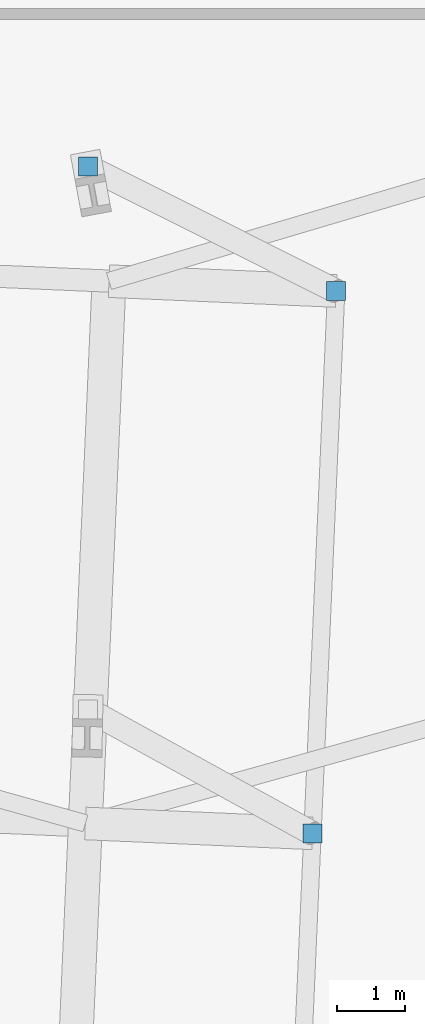
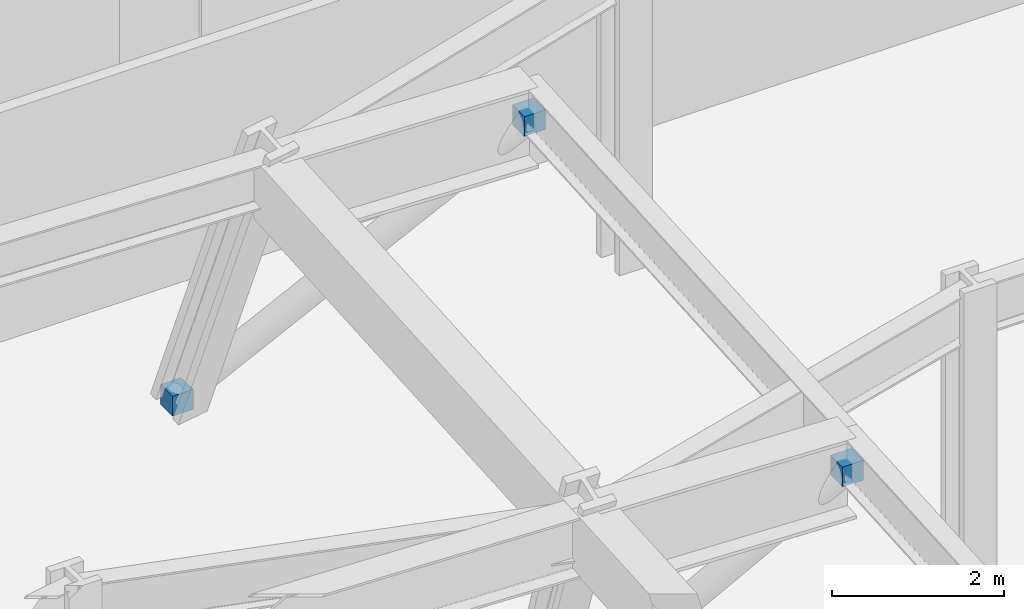
# One storey, part 7 of 14: 3 discrete accessories.
"""IFC4 building model written with IfcOpenShell, lengths in metres."""

from ifc_helpers import new_model, si_unit, direction, frame, origin, origin_2d, place, context, subcontext, project, spatial, rectangle, extrude, source, transform, mapped, material, type_object, element, save


model = new_model("IFC4")

# Units and contexts
model_context = context("Model", 3, precision=1e-05, world=origin(), true_north=direction((0.0, 1.0)))
body_context = subcontext(model_context, "Body", "Model", "MODEL_VIEW")
ifc_project = project(units=[si_unit("LENGTHUNIT", "METRE"), si_unit("AREAUNIT", "SQUARE_METRE"), si_unit("VOLUMEUNIT", "CUBIC_METRE"), si_unit("PLANEANGLEUNIT", "RADIAN"), si_unit("MASSUNIT", "GRAM", prefix="KILO")], contexts=[model_context])

# Site, building, storey
site_placement = place(None, origin())
site = spatial("IfcSite", under=ifc_project, at=site_placement, CompositionType="ELEMENT")
building_placement = place(site_placement, origin())
building = spatial("IfcBuilding", under=site, at=building_placement, Name="Torre Montelarca", CompositionType="ELEMENT")
storey_placement = place(building_placement, frame((0.0, 0.0, 28.0)))
storey = spatial("IfcBuildingStorey", under=building, at=storey_placement, Name="L06", CompositionType="ELEMENT", Elevation=28.0)

# Discrete accessories
ifc_material = material(Name="Stainless steel AISI 316", Category="steel")
discrete_accessory_type = type_object("IfcDiscreteAccessoryType", Name="ACC-BRACKET-SS", PredefinedType="BRACKET", material=ifc_material)
shared_shape = source(origin(), body_context, "Body", "SweptSolid", [
    extrude(rectangle(XDim=0.280029296875, YDim=0.280029296875, at=origin_2d()), origin(), (0.0, 0.0, 1.0), 0.280029296875),
])
for number, where, z_axis, x_axis, name in (
    (1, (63.310302734375, 30.174560546875, 3.80517578125), (0.0, 0.0, 1.0), (1.0, 0.0, 0.0), "L07 Raker End Connection Bracket E2-HD"),
    (2, (60.0, 40.0, 0.009765625), (0.0, 0.0, 1.0), (1.0, 0.0, 0.0), "L07 Raker End Connection Bracket E3-FT"),
    (3, (63.6591796875, 38.1669921875, 3.80517578125), (0.0, 0.0, 1.0), (1.0, 0.0, 0.0), "L07 Raker End Connection Bracket E3-HD"),
):
    element("IfcDiscreteAccessory", number, at=place(storey_placement, frame(where, z_axis=z_axis, x_axis=x_axis)), inside=storey, type_object=discrete_accessory_type, Name=name, PredefinedType="BRACKET", context=body_context, shape_type="MappedRepresentation", body=[
        mapped(shared_shape, transform((0.0, 0.0, 0.0), scale=1.0)),
    ])

save(model, "model.ifc")
